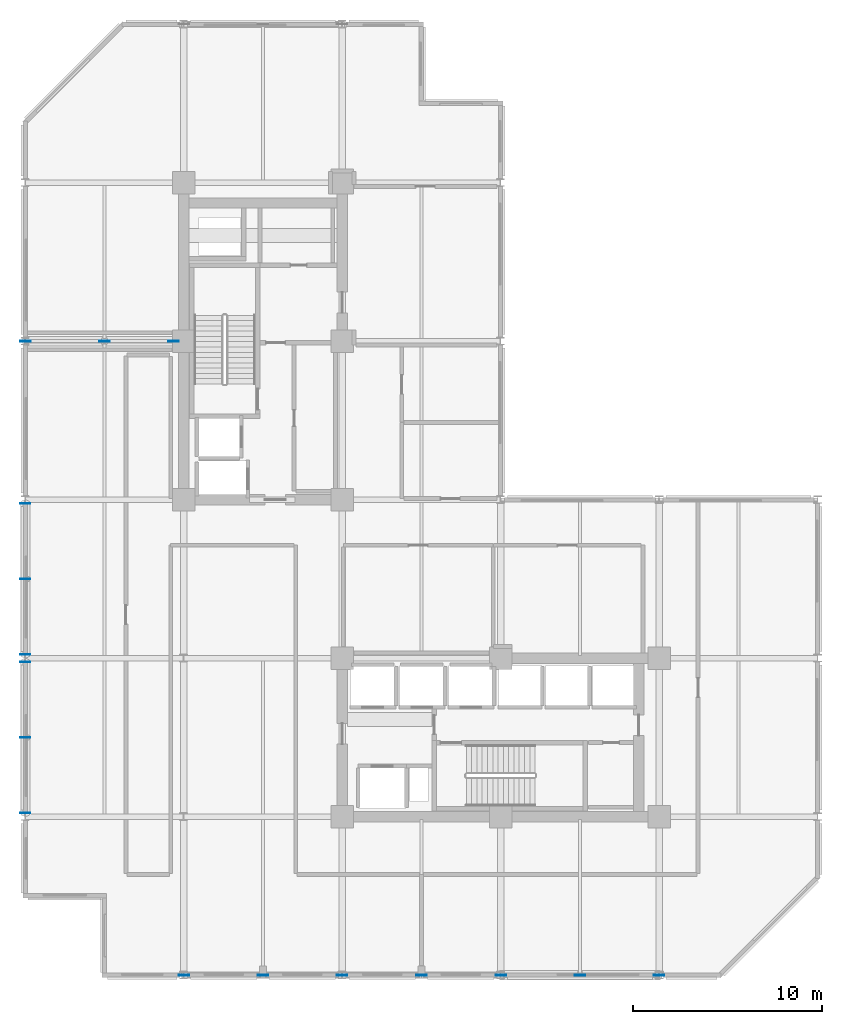
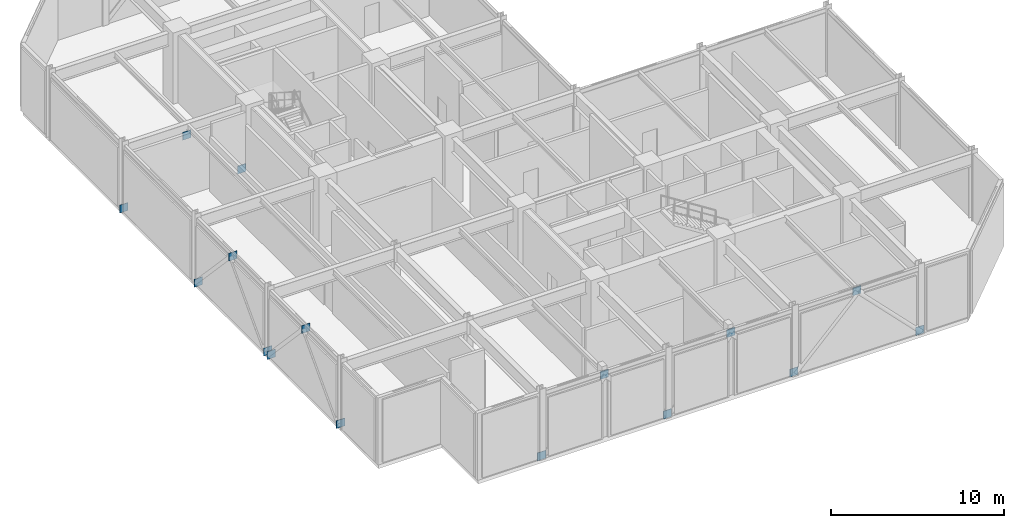
# One storey, part 3 of 10: 16 plates.
"""IFC4 building model written with IfcOpenShell, lengths in metres."""

import ifcopenshell
import ifcopenshell.guid

model = None  # the IFC model being written
_history = None  # IfcOwnerHistory: only IFC2X3 demands one
_inside = {}  # id of a spatial element -> (the spatial element, [elements in it])
_under = {}  # id of a project, library or spatial element -> (it, [spatial elements below it])
_declared = {}  # id of a project -> (the project, [libraries it declares])
_typed = {}  # id of a type object -> (the type object, [elements of that type])
_made_of = {}  # id of a material, layer set ... -> (it, [elements and type objects made of it])


def new_model(schema):
    """Start an empty IFC model of exactly this schema.

    Asked for "IFC4X3", IfcOpenShell would pick the latest addendum, in which some entities
    have other attributes; the version numbers below select the first issue.
    IFC2X3 requires an IfcOwnerHistory on every rooted entity: one is made here for all.
    """
    global model, _history
    if schema == "IFC4X3":
        model = ifcopenshell.file(schema_version=(4, 3, 0, 0))
    else:
        model = ifcopenshell.file(schema=schema)
    _inside.clear()
    _under.clear()
    _declared.clear()
    _typed.clear()
    _made_of.clear()
    _history = None
    if model.schema == "IFC2X3":
        org = make("IfcOrganization", Name="unknown")
        user = make(
            "IfcPersonAndOrganization",
            ThePerson=make("IfcPerson", FamilyName="unknown"),
            TheOrganization=org,
        )
        app = make(
            "IfcApplication",
            ApplicationDeveloper=org,
            Version="unknown",
            ApplicationFullName="unknown",
            ApplicationIdentifier="unknown",
        )
        _history = make(
            "IfcOwnerHistory",
            OwningUser=user,
            OwningApplication=app,
            ChangeAction="ADDED",
            CreationDate=0,
        )
    return model


def make(cls, **values):
    """One entity of the class cls with the attributes given. An attribute that is None is left unset."""
    return model.create_entity(
        cls, **{name: value for name, value in values.items() if value is not None}
    )


def rooted(cls, **values):
    """An entity with a GlobalId (a new one), such as an element, a storey or a relation."""
    return make(cls, GlobalId=ifcopenshell.guid.new(), OwnerHistory=_history, **values)


def si_unit(unit_type, name, prefix=None):
    """IfcSIUnit, for example si_unit("LENGTHUNIT", "METRE", prefix="MILLI")."""
    return make("IfcSIUnit", UnitType=unit_type, Prefix=prefix, Name=name)


def assignment(units):
    """IfcUnitAssignment: the units of a project."""
    return None if units is None else make("IfcUnitAssignment", Units=units)


def point(xyz):
    """IfcCartesianPoint."""
    return None if xyz is None else make("IfcCartesianPoint", Coordinates=xyz)


def direction(xyz):
    """IfcDirection."""
    return None if xyz is None else make("IfcDirection", DirectionRatios=xyz)


def frame(location, z_axis=None, x_axis=None):
    """IfcAxis2Placement3D, a coordinate frame: its origin and axes. An axis left out is left unset."""
    return make(
        "IfcAxis2Placement3D",
        Location=point(location),
        Axis=direction(z_axis),
        RefDirection=direction(x_axis),
    )


def frame_2d(location, x_axis=None):
    """IfcAxis2Placement2D, a coordinate frame in the plane: its origin and x axis."""
    return make(
        "IfcAxis2Placement2D", Location=point(location), RefDirection=direction(x_axis)
    )


def origin():
    """The frame at (0, 0, 0) with its axes left unset."""
    return frame((0.0, 0.0, 0.0))


def origin_2d():
    """The frame at (0, 0) in the plane with its x axis left unset."""
    return frame_2d((0.0, 0.0))


def place(relative_to, where):
    """IfcLocalPlacement: puts the frame where relative to a parent placement (None: the world)."""
    return make(
        "IfcLocalPlacement", PlacementRelTo=relative_to, RelativePlacement=where
    )


def context(
    kind, dimensions, precision=None, world=None, true_north=None, identifier=None
):
    """IfcGeometricRepresentationContext, for example the 3D "Model" context."""
    return make(
        "IfcGeometricRepresentationContext",
        ContextIdentifier=identifier,
        ContextType=kind,
        CoordinateSpaceDimension=dimensions,
        Precision=precision,
        WorldCoordinateSystem=world,
        TrueNorth=true_north,
    )


def subcontext(parent, identifier, kind, view, scale=None):
    """IfcGeometricRepresentationSubContext, for example "Body" below "Model"."""
    return make(
        "IfcGeometricRepresentationSubContext",
        ContextIdentifier=identifier,
        ContextType=kind,
        ParentContext=parent,
        TargetScale=scale,
        TargetView=view,
    )


def project(units=None, contexts=None):
    """IfcProject with its units and contexts."""
    return rooted(
        "IfcProject",
        Name="project",
        RepresentationContexts=contexts,
        UnitsInContext=assignment(units),
    )


def spatial(cls, under=None, at=None, **own):
    """A site, building, storey or space (cls), placed at a placement, below another one or the project."""
    s = rooted(cls, ObjectPlacement=at, **own)
    if under is not None:
        _under.setdefault(under.id(), (under, []))[1].append(s)
    return s


def profile(cls, at=None, kind="AREA", **sizes):
    """A parametric profile (cls). Its sizes go by their IFC names, for example OverallWidth=200.0."""
    return make(cls, ProfileType=kind, Position=at, **sizes)


def rectangle(**sizes):
    """IfcRectangleProfileDef."""
    return profile("IfcRectangleProfileDef", **sizes)


def extrude(swept, where, along, depth):
    """IfcExtrudedAreaSolid: the profile swept, set in the frame where, extruded along a direction by depth."""
    return make(
        "IfcExtrudedAreaSolid",
        SweptArea=swept,
        Position=where,
        ExtrudedDirection=direction(along),
        Depth=depth,
    )


def shape(context_of_items, identifier, shape_type, items):
    """IfcShapeRepresentation: the items that make up one representation, for example the "Body"."""
    return make(
        "IfcShapeRepresentation",
        ContextOfItems=context_of_items,
        RepresentationIdentifier=identifier,
        RepresentationType=shape_type,
        Items=items,
    )


def material(Name=None, Category=None):
    """IfcMaterial."""
    return make("IfcMaterial", Name=Name, Category=Category)


def layer(
    of_material, thickness, ventilated=None, Name=None, Category=None, Priority=None
):
    """IfcMaterialLayer: one layer of a wall or slab, of a material (None: an air gap)."""
    return make(
        "IfcMaterialLayer",
        Material=of_material,
        LayerThickness=thickness,
        IsVentilated=ventilated,
        Name=Name,
        Category=Category,
        Priority=Priority,
    )


def layer_set(layers, Name=None):
    """IfcMaterialLayerSet."""
    return make("IfcMaterialLayerSet", MaterialLayers=layers, LayerSetName=Name)


def made_of(thing, what):
    """Note that an element or type object is made of a material, layer set ...; save() writes the relation."""
    if what is not None:
        _made_of.setdefault(what.id(), (what, []))[1].append(thing)
    return thing


def type_object(cls, material=None, **own):
    """A type object (cls), such as IfcWallType, which elements share."""
    return made_of(rooted(cls, **own), material)


def element(
    cls,
    number,
    at=None,
    inside=None,
    cuts=None,
    type_object=None,
    material=None,
    context=None,
    identifier="Body",
    shape_type=None,
    held_by="IfcProductDefinitionShape",
    body=None,
    shapes=None,
    **own,
):
    """One element of the class cls, such as IfcWall. Its Tag is "e" and its number.

    at: its placement. inside: the storey or other place that contains it. cuts: it is an
    opening in that element (IfcRelVoidsElement). A single representation is given by context,
    identifier, shape_type and body (its items); several are given by shapes. held_by: the class
    of the entity that holds the representations. save() writes the other relations.
    """
    e = rooted(cls, Tag="e%d" % number, ObjectPlacement=at, **own)
    if body is not None:
        shapes = [shape(context, identifier, shape_type, body)]
    if shapes is not None:
        e.Representation = make(held_by, Representations=shapes)
    if inside is not None:
        _inside.setdefault(inside.id(), (inside, []))[1].append(e)
    if cuts is not None:
        rooted(
            "IfcRelVoidsElement", RelatingBuildingElement=cuts, RelatedOpeningElement=e
        )
    if type_object is not None:
        _typed.setdefault(type_object.id(), (type_object, []))[1].append(e)
    return made_of(e, material)


def aggregate(whole, parts):
    """IfcRelAggregates: a whole, such as a stair, and the parts it consists of."""
    return rooted("IfcRelAggregates", RelatingObject=whole, RelatedObjects=parts)


def save(model, path):
    """Write the relations noted so far, then the file.

    IfcRelAggregates (storeys below a building ...), IfcRelContainedInSpatialStructure (elements
    in a storey), IfcRelDefinesByType, IfcRelAssociatesMaterial and IfcRelDeclares: one each for
    every whole, place, type object, material and project.
    """
    for whole, parts in _under.values():
        aggregate(whole, parts)
    for where, things in _inside.values():
        rooted(
            "IfcRelContainedInSpatialStructure",
            RelatedElements=things,
            RelatingStructure=where,
        )
    for kind, things in _typed.values():
        rooted("IfcRelDefinesByType", RelatedObjects=things, RelatingType=kind)
    for what, things in _made_of.values():
        rooted("IfcRelAssociatesMaterial", RelatedObjects=things, RelatingMaterial=what)
    for by, libraries in _declared.values():
        rooted("IfcRelDeclares", RelatingContext=by, RelatedDefinitions=libraries)
    model.write(path)


model = new_model("IFC4")

# Units and contexts
model_context = context("Model", 3, precision=1e-05, world=origin(), true_north=direction((0.0, 1.0)))
body_context = subcontext(model_context, "Body", "Model", "MODEL_VIEW")
ifc_project = project(units=[si_unit("LENGTHUNIT", "METRE"), si_unit("AREAUNIT", "SQUARE_METRE"), si_unit("VOLUMEUNIT", "CUBIC_METRE"), si_unit("PLANEANGLEUNIT", "RADIAN"), si_unit("MASSUNIT", "GRAM", prefix="KILO")], contexts=[model_context])

# Site, building, storey
site_placement = place(None, origin())
site = spatial("IfcSite", under=ifc_project, at=site_placement, CompositionType="ELEMENT")
building_placement = place(site_placement, origin())
building = spatial("IfcBuilding", under=site, at=building_placement, Name="Nerrivon Quay Data Exchange", CompositionType="ELEMENT")
storey_placement = place(building_placement, frame((0.0, 0.0, 162.300048828125)))
storey = spatial("IfcBuildingStorey", under=building, at=storey_placement, Name="L38", CompositionType="ELEMENT", Elevation=162.300048828125)

# Plates
ifc_material = material(Name="Steel Grade 350", Category="steel")
ifc_layer_1 = layer(ifc_material, 0.031982421875)
ifc_layer_set_1 = layer_set([ifc_layer_1], Name="Steel Grade 350")
plate_type_1 = type_object("IfcPlateType", Name="PLT-KNB01", PredefinedType="USERDEFINED", material=ifc_layer_set_1)
for number, where, z_axis, x_axis, name in (
    (1, (8.41259765625, 0.0, -0.09521484375), (0.0, 0.0, 1.0), (1.0, 0.0, 0.0), "L38 node plate 50"),
    (2, (12.60009765625, 0.0, 4.16015625), (0.0, 0.0, 1.0), (1.0, 0.0, 0.0), "L38 node plate 51"),
    (3, (16.78759765625, 0.0, -0.09521484375), (0.0, 0.0, 1.0), (1.0, 0.0, 0.0), "L38 node plate 52"),
):
    element("IfcPlate", number, at=place(storey_placement, frame(where, z_axis=z_axis, x_axis=x_axis)), inside=storey, type_object=plate_type_1, Name=name, ObjectType="GUSSET PLATE", PredefinedType="USERDEFINED", context=body_context, shape_type="SweptSolid", body=[
        extrude(rectangle(XDim=0.550048828125, YDim=0.035888671875, at=origin_2d()), origin(), (0.0, 0.0, 1.0), 0.550048828125),
    ])
ifc_layer_2 = layer(ifc_material, 0.031982421875)
ifc_layer_set_2 = layer_set([ifc_layer_2], Name="Steel Grade 350")
plate_type_2 = type_object("IfcPlateType", Name="PLT-KNK02", PredefinedType="USERDEFINED", material=ifc_layer_set_2)
plate_placement = place(storey_placement, frame((21.0, 0.0, 4.16015625), z_axis=(0.0, 0.0, 1.0), x_axis=(1.0, 0.0, 0.0)))
element("IfcPlate", 4, at=plate_placement, inside=storey, type_object=plate_type_2, Name="L38 node plate 53", ObjectType="GUSSET PLATE", PredefinedType="USERDEFINED", context=body_context, shape_type="SweptSolid", body=[
    extrude(rectangle(XDim=0.550048828125, YDim=0.035888671875, at=origin_2d()), origin(), (0.0, 0.0, 1.0), 0.550048828125),
])
ifc_layer_3 = layer(ifc_material, 0.035888671875)
ifc_layer_set_3 = layer_set([ifc_layer_3], Name="Steel Grade 350")
plate_type_3 = type_object("IfcPlateType", Name="PLT-ON02", PredefinedType="USERDEFINED", material=ifc_layer_set_3)
for number, where, z_axis, x_axis, name in (
    (5, (0.012451171875, 33.60009765625, -0.09521484375), (0.0, 0.0, 1.0), (1.0, 0.0, 0.0), "L38 node plate 38"),
    (6, (4.199951171875, 33.60009765625, 3.56005859375), (0.0, 0.0, 1.0), (1.0, 0.0, 0.0), "L38 node plate 39"),
    (7, (7.860107421875, 33.60009765625, -0.09521484375), (0.0, 0.0, 1.0), (1.0, 0.0, 0.0), "L38 node plate 40"),
    (8, (25.21240234375, 0.0, -0.09521484375), (0.0, 0.0, 1.0), (1.0, 0.0, 0.0), "L38 node plate 41"),
    (9, (29.39990234375, 0.0, 4.16015625), (0.0, 0.0, 1.0), (1.0, 0.0, 0.0), "L38 node plate 42"),
    (10, (33.58740234375, 0.0, -0.09521484375), (0.0, 0.0, 1.0), (1.0, 0.0, 0.0), "L38 node plate 43"),
    (11, (0.0, 8.60009765625, -0.09521484375), (0.0, 0.0, 1.0), (1.0, 0.0, 0.0), "L38 node plate 44"),
    (12, (0.0, 12.60009765625, 4.16015625), (0.0, 0.0, 1.0), (1.0, 0.0, 0.0), "L38 node plate 45"),
    (13, (0.0, 16.60009765625, -0.09521484375), (0.0, 0.0, 1.0), (1.0, 0.0, 0.0), "L38 node plate 46"),
    (14, (0.0, 17.0, -0.09521484375), (0.0, 0.0, 1.0), (1.0, 0.0, 0.0), "L38 node plate 47"),
    (15, (0.0, 21.0, 4.16015625), (0.0, 0.0, 1.0), (1.0, 0.0, 0.0), "L38 node plate 48"),
    (16, (0.0, 25.0, -0.09521484375), (0.0, 0.0, 1.0), (1.0, 0.0, 0.0), "L38 node plate 49"),
):
    element("IfcPlate", number, at=place(storey_placement, frame(where, z_axis=z_axis, x_axis=x_axis)), inside=storey, type_object=plate_type_3, Name=name, ObjectType="GUSSET PLATE", PredefinedType="USERDEFINED", context=body_context, shape_type="SweptSolid", body=[
        extrude(rectangle(XDim=0.550048828125, YDim=0.035888671875, at=origin_2d()), origin(), (0.0, 0.0, 1.0), 0.550048828125),
    ])

save(model, "model.ifc")
